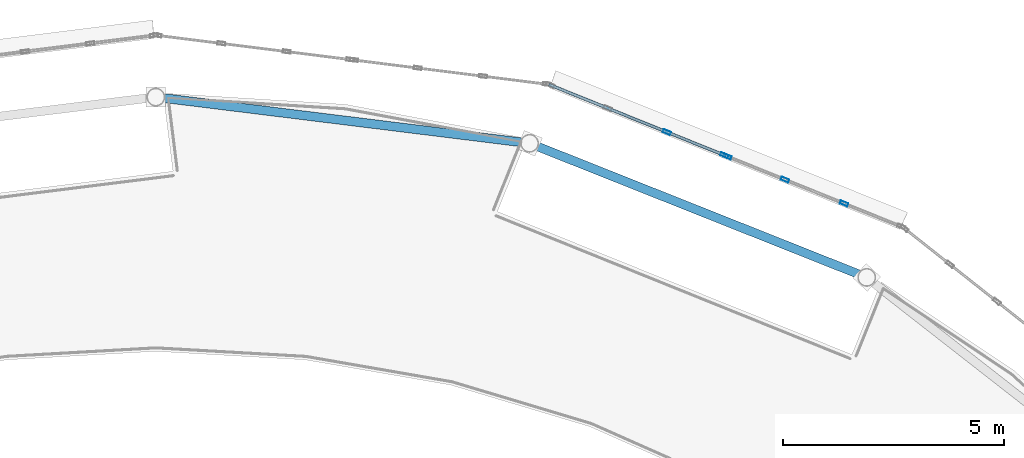
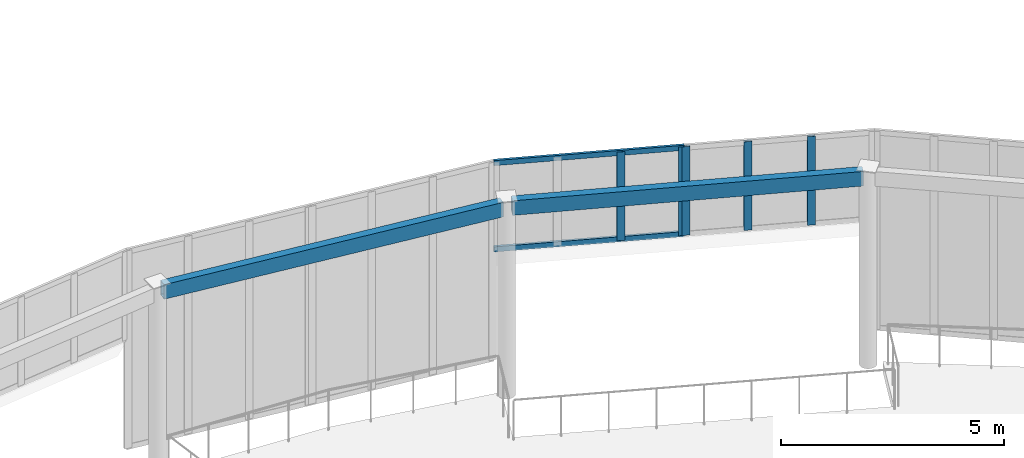
# One storey, part 46 of 98: 7 members, 2 beams, 2 elements without a shape of their own.
"""IFC4 building model written with IfcOpenShell, lengths in metres."""

from ifc_helpers import new_model, si_unit, direction, frame, origin, origin_2d, place, context, subcontext, project, spatial, hollow_rectangle, extrude, material, layer, layer_set, material_profile, profile_set, type_object, element, aggregate, save


model = new_model("IFC4")

# Units and contexts
model_context = context("Model", 3, precision=1e-05, world=origin(), true_north=direction((0.0, 1.0)))
body_context = subcontext(model_context, "Body", "Model", "MODEL_VIEW")
ifc_project = project(units=[si_unit("LENGTHUNIT", "METRE"), si_unit("AREAUNIT", "SQUARE_METRE"), si_unit("VOLUMEUNIT", "CUBIC_METRE"), si_unit("PLANEANGLEUNIT", "RADIAN"), si_unit("MASSUNIT", "GRAM", prefix="KILO")], contexts=[model_context])

# Site, building, storey
site_placement = place(None, origin())
site = spatial("IfcSite", under=ifc_project, at=site_placement, CompositionType="ELEMENT")
building_placement = place(site_placement, origin())
building = spatial("IfcBuilding", under=site, at=building_placement, Name="Sollismere Congress Hotel", CompositionType="ELEMENT")
storey_placement = place(building_placement, frame((0.0, 0.0, 5.39990234375)))
storey = spatial("IfcBuildingStorey", under=building, at=storey_placement, Name="L01", CompositionType="ELEMENT", Elevation=5.39990234375)

# Beams
ifc_material_1 = material(Name="Steel ASTM A500 Grade C", Category="steel")
ifc_material_profile_1 = material_profile(ifc_material_1, hollow_rectangle(XDim=0.199951171875, YDim=0.39990234375, WallThickness=0.011962890625, at=origin_2d()), Name="HSS400X200X12")
ifc_profile_set_1 = profile_set([ifc_material_profile_1], Name="Steel ASTM A500 Grade C")
beam_type = type_object("IfcBeamType", Name="BM-BX400", PredefinedType="HOLLOWCORE", material=ifc_profile_set_1)
beam_1_placement = place(storey_placement, frame((44.96435546875, 107.716796875, 5.150146484375), z_axis=(-0.92919785881, 0.369582655414, 0.0), x_axis=(-0.369582655414, -0.92919785881, 0.0)))
element("IfcBeam", 1, at=beam_1_placement, inside=storey, type_object=beam_type, Name="Beam BM-L01-4189", PredefinedType="HOLLOWCORE", context=body_context, shape_type="SweptSolid", body=[
    extrude(hollow_rectangle(XDim=0.199951171875, YDim=0.39990234375, WallThickness=0.011962890625, at=origin_2d()), origin(), (0.0, 0.0, 1.0), 7.96533203125),
])
beam_2_placement = place(storey_placement, frame((37.33251953125, 110.7197265625, 5.150146484375), z_axis=(-0.992441298933, 0.122720284274, 0.0), x_axis=(-0.122720284274, -0.992441298933, 0.0)))
element("IfcBeam", 2, at=beam_2_placement, inside=storey, type_object=beam_type, Name="Beam BM-L01-4190", PredefinedType="HOLLOWCORE", context=body_context, shape_type="SweptSolid", body=[
    extrude(hollow_rectangle(XDim=0.199951171875, YDim=0.39990234375, WallThickness=0.011962890625, at=origin_2d()), origin(), (0.0, 0.0, 1.0), 8.27587890625),
])

# Curtain wall, members
ifc_material_2 = material(Name="Anodized Bronze Curtain Wall & Low-E Triple Glazing", Category="glass")
ifc_layer = layer(ifc_material_2, 0.199951171875, Name="Anodized Bronze Curtain Wall & Low-E Triple Glazing")
ifc_layer_set = layer_set([ifc_layer], Name="Anodized Bronze Curtain Wall & Low-E Triple Glazing")
curtain_wall_type = type_object("IfcCurtainWallType", Name="CW-GLZ36", PredefinedType="USERDEFINED", material=ifc_layer_set)
curtain_wall_1_placement = place(storey_placement, origin())
curtain_wall_1 = element("IfcCurtainWall", 3, at=curtain_wall_1_placement, inside=storey, type_object=curtain_wall_type, Name="Unitised curtain wall CW-L01-007", ObjectType="UNITISED CURTAIN WALL", PredefinedType="USERDEFINED")
ifc_material_3 = material(Name="Anodized Aluminum 6063-T6", Category="aluminium")
ifc_material_profile_2 = material_profile(ifc_material_3, hollow_rectangle(XDim=0.074951171875, YDim=0.179931640625, WallThickness=0.0048828125, at=origin_2d()), Name="ALU180X75X5")
ifc_profile_set_2 = profile_set([ifc_material_profile_2], Name="Anodized Aluminum 6063-T6")
member_type_1 = type_object("IfcMemberType", Name="ML-CW180", PredefinedType="MULLION", material=ifc_profile_set_2)
member_1_placement = place(storey_placement, frame((44.56298828125, 109.34375, 2.989990234375), z_axis=(0.0, 0.0, 1.0), x_axis=(-0.373943018709, -0.927451680013, 0.0)))
member_1 = element("IfcMember", 4, at=member_1_placement, type_object=member_type_1, Name="CWL-CW-L01-007-ML02", PredefinedType="MULLION", context=body_context, shape_type="SweptSolid", body=[
    extrude(hollow_rectangle(XDim=0.074951171875, YDim=0.179931640625, WallThickness=0.0048828125, at=origin_2d()), origin(), (0.0, 0.0, 1.0), 2.43017578125),
])
member_2_placement = place(storey_placement, frame((43.227294921875, 109.882080078125, 2.989990234375), z_axis=(0.0, 0.0, 1.0), x_axis=(-0.373943018709, -0.927451680013, 0.0)))
member_2 = element("IfcMember", 5, at=member_2_placement, type_object=member_type_1, Name="CWL-CW-L01-007-ML03", PredefinedType="MULLION", context=body_context, shape_type="SweptSolid", body=[
    extrude(hollow_rectangle(XDim=0.074951171875, YDim=0.179931640625, WallThickness=0.0048828125, at=origin_2d()), origin(), (0.0, 0.0, 1.0), 2.43017578125),
])
member_3_placement = place(storey_placement, frame((41.9267578125, 110.406494140625, 2.989990234375), z_axis=(0.0, 0.0, 1.0), x_axis=(-0.373943018709, -0.927451680013, 0.0)))
member_3 = element("IfcMember", 6, at=member_3_placement, type_object=member_type_1, Name="CWL-CW-L01-007-ML04", PredefinedType="MULLION", context=body_context, shape_type="SweptSolid", body=[
    extrude(hollow_rectangle(XDim=0.074951171875, YDim=0.179931640625, WallThickness=0.0048828125, at=origin_2d()), origin(), (0.0, 0.0, 1.0), 2.43017578125),
])
aggregate(curtain_wall_1, [member_1, member_2, member_3])

curtain_wall_2_placement = place(storey_placement, origin())
curtain_wall_2 = element("IfcCurtainWall", 7, at=curtain_wall_2_placement, inside=storey, type_object=curtain_wall_type, Name="Unitised curtain wall CW-L01-008", ObjectType="UNITISED CURTAIN WALL", PredefinedType="USERDEFINED")
member_4_placement = place(storey_placement, frame((41.856201171875, 110.43505859375, 2.989990234375), z_axis=(0.0, 0.0, 1.0), x_axis=(-0.373943018709, -0.927451680013, 0.0)))
member_4 = element("IfcMember", 8, at=member_4_placement, type_object=member_type_1, Name="CWL-CW-L01-008-ML01", PredefinedType="MULLION", context=body_context, shape_type="SweptSolid", body=[
    extrude(hollow_rectangle(XDim=0.074951171875, YDim=0.179931640625, WallThickness=0.0048828125, at=origin_2d()), origin(), (0.0, 0.0, 1.0), 2.43017578125),
])
member_5_placement = place(storey_placement, frame((40.5556640625, 110.95947265625, 2.989990234375), z_axis=(0.0, 0.0, 1.0), x_axis=(-0.373943018709, -0.927451680013, 0.0)))
member_5 = element("IfcMember", 9, at=member_5_placement, type_object=member_type_1, Name="CWL-CW-L01-008-ML02", PredefinedType="MULLION", context=body_context, shape_type="SweptSolid", body=[
    extrude(hollow_rectangle(XDim=0.074951171875, YDim=0.179931640625, WallThickness=0.0048828125, at=origin_2d()), origin(), (0.0, 0.0, 1.0), 2.43017578125),
])
ifc_material_profile_3 = material_profile(ifc_material_3, hollow_rectangle(XDim=0.06494140625, YDim=0.139892578125, WallThickness=0.00390625, at=origin_2d()), Name="ALU140X65X4")
ifc_profile_set_3 = profile_set([ifc_material_profile_3], Name="Anodized Aluminum 6063-T6")
member_type_2 = type_object("IfcMemberType", Name="TR-CW150", PredefinedType="MEMBER", material=ifc_profile_set_3)
member_6_placement = place(storey_placement, frame((41.8916015625, 110.4208984375, 3.022705078125), z_axis=(-0.927452218611, 0.373941682878, 0.0), x_axis=(-0.373941682878, -0.927452218611, 0.0)))
member_6 = element("IfcMember", 10, at=member_6_placement, type_object=member_type_2, Name="CWL-CW-L01-008-TR1", PredefinedType="MEMBER", context=body_context, shape_type="SweptSolid", body=[
    extrude(hollow_rectangle(XDim=0.06494140625, YDim=0.139892578125, WallThickness=0.00390625, at=origin_2d()), origin(), (0.0, 0.0, 1.0), 4.32080078125),
])
member_7_placement = place(storey_placement, frame((41.8916015625, 110.4208984375, 5.3876953125), z_axis=(-0.927452218611, 0.373941682878, 0.0), x_axis=(-0.373941682878, -0.927452218611, 0.0)))
member_7 = element("IfcMember", 11, at=member_7_placement, type_object=member_type_2, Name="CWL-CW-L01-008-TR2", PredefinedType="MEMBER", context=body_context, shape_type="SweptSolid", body=[
    extrude(hollow_rectangle(XDim=0.06494140625, YDim=0.139892578125, WallThickness=0.00390625, at=origin_2d()), origin(), (0.0, 0.0, 1.0), 4.32080078125),
])
aggregate(curtain_wall_2, [member_4, member_5, member_6, member_7])

save(model, "model.ifc")
